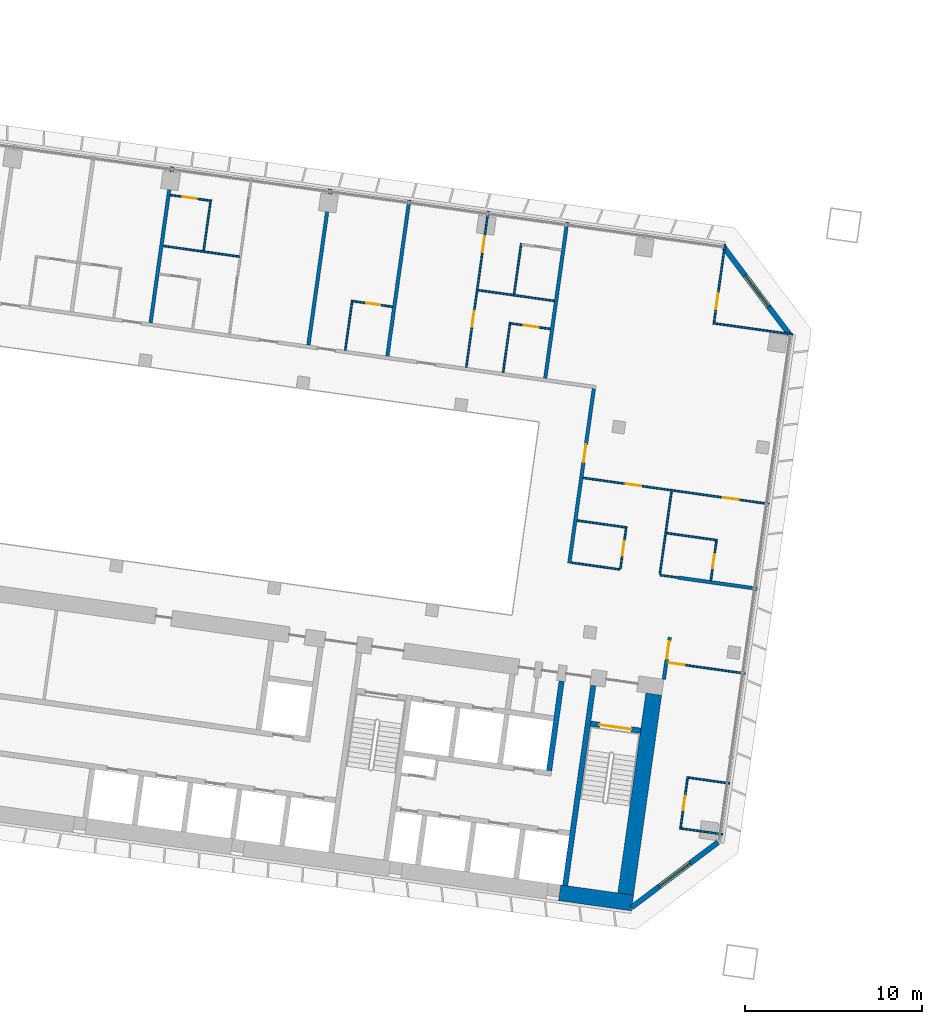
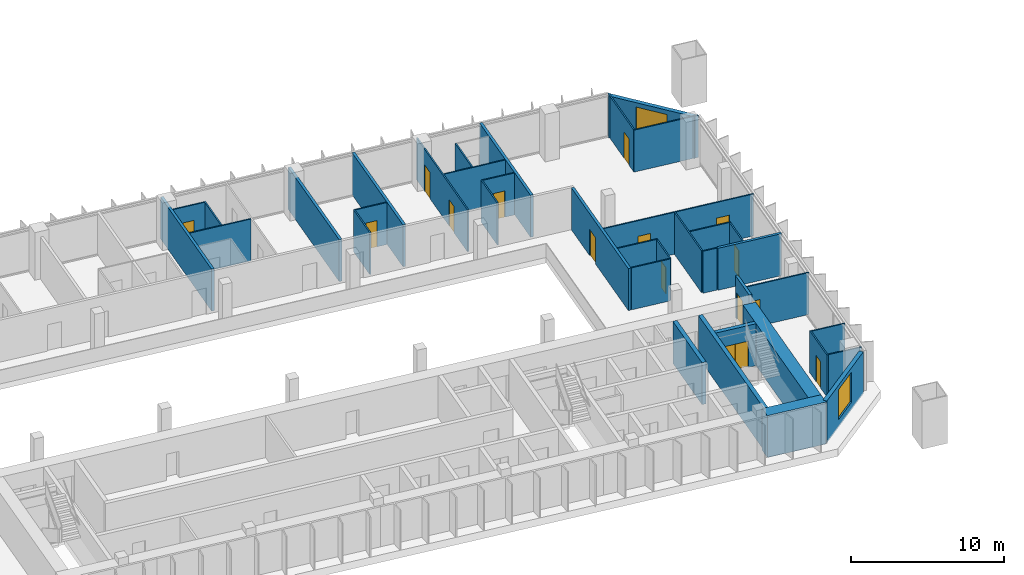
# One storey, part 17 of 25: 38 walls, 15 doors, 2 windows, 17 openings.
"""IFC4 building model written with IfcOpenShell, lengths in metres."""

from ifc_helpers import new_model, si_unit, direction, frame, frame_2d, origin, place, context, subcontext, project, spatial, rectangle, extrude, material, layer, layer_set, type_object, element, fill, save


model = new_model("IFC4")

# Units and contexts
model_context = context("Model", 3, precision=1e-05, world=origin(), true_north=direction((0.0, 1.0)))
body_context = subcontext(model_context, "Body", "Model", "MODEL_VIEW")
ifc_project = project(units=[si_unit("LENGTHUNIT", "METRE"), si_unit("AREAUNIT", "SQUARE_METRE"), si_unit("VOLUMEUNIT", "CUBIC_METRE"), si_unit("PLANEANGLEUNIT", "RADIAN"), si_unit("MASSUNIT", "GRAM", prefix="KILO")], contexts=[model_context])

# Site, building, storey
site_placement = place(None, origin())
site = spatial("IfcSite", under=ifc_project, at=site_placement, CompositionType="ELEMENT")
building_placement = place(site_placement, origin())
building = spatial("IfcBuilding", under=site, at=building_placement, Name="Mirante Cascada Hotel Towers", CompositionType="ELEMENT")
storey_placement = place(building_placement, frame((0.0, 0.0, 58.5)))
storey = spatial("IfcBuildingStorey", under=building, at=storey_placement, Name="L11", CompositionType="ELEMENT", Elevation=58.5)

# Wall
ifc_material_1 = material(Name="Fire-rated plasterboard on metal studs")
ifc_layer_1 = layer(ifc_material_1, 0.2)
ifc_layer_set_1 = layer_set([ifc_layer_1], Name="Compartment wall 200 EI 120")
wall_type_1 = type_object("IfcWallType", Name="Compartment wall 200 EI 120", PredefinedType="PARTITIONING", material=ifc_layer_set_1)
wall_1_placement = place(storey_placement, frame((-30.0, -2.0, 0.0), z_axis=(0.0, 0.0, 1.0), x_axis=(-0.9902674, 0.1391779, 0.0)))
element("IfcWall", 1, at=wall_1_placement, inside=storey, type_object=wall_type_1, Name="Wall 1-L11-04", PredefinedType="PARTITIONING", context=body_context, shape_type="SweptSolid", body=[
    extrude(rectangle(XDim=4.5, YDim=0.2, at=frame_2d((2.25, 0.0))), origin(), (0.0, 0.0, 1.0), 3.35),
])

# Wall, opening, door
wall_2_placement = place(storey_placement, frame((-34.9294, -4.7406, 0.0), z_axis=(0.0, 0.0, 1.0), x_axis=(-0.1391635, -0.9902694, 0.0)))
wall_2 = element("IfcWall", 2, at=wall_2_placement, inside=storey, type_object=wall_type_1, Name="Wall 1-L11-33", PredefinedType="PARTITIONING", context=body_context, shape_type="SweptSolid", body=[
    extrude(rectangle(XDim=2.4001, YDim=0.2, at=frame_2d((1.2, 0.0))), origin(), (0.0, 0.0, 1.0), 3.35),
])
opening_1_placement = place(wall_2_placement, frame((0.2167, 0.0, 0.0)))
opening_1 = element("IfcOpeningElement", 3, at=opening_1_placement, cuts=wall_2, Name="Opening D1-L11-28", PredefinedType="OPENING", context=body_context, shape_type="SweptSolid", body=[
    extrude(rectangle(XDim=1.0, YDim=2.1, at=frame_2d((0.5, 1.05))), frame((0.0, 0.1, 0.0), z_axis=(0.0, -1.0, 0.0), x_axis=(1.0, 0.0, 0.0)), (0.0, 0.0, 1.0), 0.2),
])
ifc_material_2 = material(Name="Fire-rated timber door leaf", Category="wood")
door_type_1 = type_object("IfcDoorType", Name="Entrance door DG1 1000x2100 EI 60", OperationType="SINGLE_SWING_LEFT", PredefinedType="DOOR", material=ifc_material_2)
door_1_placement = place(opening_1_placement, origin())
door_1 = element("IfcDoor", 4, at=door_1_placement, inside=storey, type_object=door_type_1, Name="Door D1-L11-28", OperationType="SINGLE_SWING_LEFT", OverallHeight=2.1, OverallWidth=1.0, PredefinedType="DOOR", context=body_context, shape_type="SweptSolid", body=[
    extrude(rectangle(XDim=1.0, YDim=2.1, at=frame_2d((0.5, 1.05))), frame((0.0, 0.025, 0.0), z_axis=(0.0, -1.0, 0.0), x_axis=(1.0, 0.0, 0.0)), (0.0, 0.0, 1.0), 0.05),
])
fill(opening_1, door_1)

wall_3_placement = place(storey_placement, frame((-39.2181, 9.2928, 0.0), z_axis=(0.0, 0.0, 1.0), x_axis=(-0.1391655, -0.9902691, 0.0)))
wall_3 = element("IfcWall", 5, at=wall_3_placement, inside=storey, type_object=wall_type_1, Name="Wall 1-L11-37", PredefinedType="PARTITIONING", context=body_context, shape_type="SweptSolid", body=[
    extrude(rectangle(XDim=9.95, YDim=0.2, at=frame_2d((4.975, 0.0))), origin(), (0.0, 0.0, 1.0), 3.35),
])
opening_2_placement = place(wall_3_placement, frame((3.1834, 0.0, 0.0)))
opening_2 = element("IfcOpeningElement", 6, at=opening_2_placement, cuts=wall_3, Name="Opening D1-L11-31", PredefinedType="OPENING", context=body_context, shape_type="SweptSolid", body=[
    extrude(rectangle(XDim=1.0, YDim=2.1, at=frame_2d((0.5, 1.05))), frame((0.0, 0.1, 0.0), z_axis=(0.0, -1.0, 0.0), x_axis=(1.0, 0.0, 0.0)), (0.0, 0.0, 1.0), 0.2),
])
door_2_placement = place(opening_2_placement, origin())
door_2 = element("IfcDoor", 7, at=door_2_placement, inside=storey, type_object=door_type_1, Name="Door D1-L11-31", OperationType="SINGLE_SWING_LEFT", OverallHeight=2.1, OverallWidth=1.0, PredefinedType="DOOR", context=body_context, shape_type="SweptSolid", body=[
    extrude(rectangle(XDim=1.0, YDim=2.1, at=frame_2d((0.5, 1.05))), frame((0.0, 0.025, 0.0), z_axis=(0.0, -1.0, 0.0), x_axis=(1.0, 0.0, 0.0)), (0.0, 0.0, 1.0), 0.05),
])
fill(opening_2, door_2)

# Walls
for number, where, z_axis, x_axis, name in (
    (8, (-41.963, 9.8805, 0.0), (0.0, 0.0, 1.0), (0.1391794, 0.9902672, 0.0), "Wall 1-L11-38"),
    (9, (-50.8754, 11.1331, 0.0), (0.0, 0.0, 1.0), (0.1391794, 0.9902672, 0.0), "Wall 1-L11-42"),
    (10, (-55.3316, 11.7594, 0.0), (0.0, 0.0, 1.0), (0.1391794, 0.9902672, 0.0), "Wall 1-L11-44"),
    (11, (-64.244, 13.0119, 0.0), (0.0, 0.0, 1.0), (0.1391684, 0.9902687, 0.0), "Wall 1-L11-48"),
):
    element("IfcWall", number, at=place(storey_placement, frame(where, z_axis=z_axis, x_axis=x_axis)), inside=storey, type_object=wall_type_1, Name=name, PredefinedType="PARTITIONING", context=body_context, shape_type="SweptSolid", body=[
        extrude(rectangle(XDim=8.9, YDim=0.2, at=frame_2d((4.45, 0.0))), origin(), (0.0, 0.0, 1.0), 3.35),
    ])
ifc_material_3 = material(Name="Plasterboard on metal studs")
ifc_layer_2 = layer(ifc_material_3, 0.1)
ifc_layer_set_2 = layer_set([ifc_layer_2], Name="Partition 100")
wall_type_2 = type_object("IfcWallType", Name="Partition 100", PredefinedType="PARTITIONING", material=ifc_layer_set_2)
for number, where, z_axis, x_axis, name in (
    (12, (-34.2756, -15.5367, 0.0), (0.0, 0.0, 1.0), (0.9902661, -0.139187, 0.0), "Wall 1-L11-01"),
    (13, (-31.5448, -12.992, 0.0), (0.0, 0.0, 1.0), (-0.9902661, 0.139187, 0.0), "Wall 1-L11-02"),
):
    element("IfcWall", number, at=place(storey_placement, frame(where, z_axis=z_axis, x_axis=x_axis)), inside=storey, type_object=wall_type_2, Name=name, PredefinedType="PARTITIONING", context=body_context, shape_type="SweptSolid", body=[
        extrude(rectangle(XDim=2.3501, YDim=0.1, at=frame_2d((1.175, 0.0))), origin(), (0.0, 0.0, 1.0), 3.35),
    ])

# Wall, opening, door
wall_4_placement = place(storey_placement, frame((-35.0298, -6.1739, 0.0), z_axis=(0.0, 0.0, 1.0), x_axis=(0.9902665, -0.1391841, 0.0)))
wall_4 = element("IfcWall", 14, at=wall_4_placement, inside=storey, type_object=wall_type_2, Name="Wall 1-L11-03", PredefinedType="PARTITIONING", context=body_context, shape_type="SweptSolid", body=[
    extrude(rectangle(XDim=4.3999, YDim=0.1, at=frame_2d((2.2, 0.0))), origin(), (0.0, 0.0, 1.0), 3.35),
])
opening_3_placement = place(wall_4_placement, frame((0.05, 0.0, 0.0)))
opening_3 = element("IfcOpeningElement", 15, at=opening_3_placement, cuts=wall_4, Name="Opening D1-L11-01", PredefinedType="OPENING", context=body_context, shape_type="SweptSolid", body=[
    extrude(rectangle(XDim=0.9, YDim=2.1, at=frame_2d((0.45, 1.05))), frame((0.0, 0.05, 0.0), z_axis=(0.0, -1.0, 0.0), x_axis=(1.0, 0.0, 0.0)), (0.0, 0.0, 1.0), 0.1),
])
ifc_material_4 = material(Name="Timber door leaf", Category="wood")
door_type_2 = type_object("IfcDoorType", Name="Room door DG3 900x2100", OperationType="SINGLE_SWING_LEFT", PredefinedType="DOOR", material=ifc_material_4)
door_3_placement = place(opening_3_placement, frame((0.9, 0.0, 0.0), z_axis=(0.0, 0.0, 1.0), x_axis=(-1.0, 0.0, 0.0)))
door_3 = element("IfcDoor", 16, at=door_3_placement, inside=storey, type_object=door_type_2, Name="Door D1-L11-01", OperationType="SINGLE_SWING_RIGHT", OverallHeight=2.1, OverallWidth=0.9, PredefinedType="DOOR", context=body_context, shape_type="SweptSolid", body=[
    extrude(rectangle(XDim=0.9, YDim=2.1, at=frame_2d((0.45, 1.05))), frame((0.0, 0.025, 0.0), z_axis=(0.0, -1.0, 0.0), x_axis=(1.0, 0.0, 0.0)), (0.0, 0.0, 1.0), 0.05),
])
fill(opening_3, door_3)

# Walls
wall_5_placement = place(storey_placement, frame((-35.4663, -1.2318, 0.0), z_axis=(0.0, 0.0, 1.0), x_axis=(0.9902801, -0.1390877, 0.0)))
element("IfcWall", 17, at=wall_5_placement, inside=storey, type_object=wall_type_2, Name="Wall 1-L11-05", PredefinedType="PARTITIONING", context=body_context, shape_type="SweptSolid", body=[
    extrude(rectangle(XDim=0.99, YDim=0.1, at=frame_2d((0.495, 0.0))), origin(), (0.0, 0.0, 1.0), 3.35),
])
wall_6_placement = place(storey_placement, frame((-37.7538, -0.9103, 0.0), z_axis=(0.0, 0.0, 1.0), x_axis=(-0.9902645, 0.1391984, 0.0)))
element("IfcWall", 18, at=wall_6_placement, inside=storey, type_object=wall_type_2, Name="Wall 1-L11-06", PredefinedType="PARTITIONING", context=body_context, shape_type="SweptSolid", body=[
    extrude(rectangle(XDim=2.74, YDim=0.1, at=frame_2d((1.37, 0.0))), origin(), (0.0, 0.0, 1.0), 3.35),
])
wall_7_placement = place(storey_placement, frame((-32.2407, 0.7385, 0.0), z_axis=(0.0, 0.0, 1.0), x_axis=(-0.9902683, 0.1391714, 0.0)))
element("IfcWall", 19, at=wall_7_placement, inside=storey, type_object=wall_type_2, Name="Wall 1-L11-08", PredefinedType="PARTITIONING", context=body_context, shape_type="SweptSolid", body=[
    extrude(rectangle(XDim=2.9, YDim=0.1, at=frame_2d((1.45, 0.0))), origin(), (0.0, 0.0, 1.0), 3.35),
])
wall_8_placement = place(storey_placement, frame((-40.1628, 1.8519, 0.0), z_axis=(0.0, 0.0, 1.0), x_axis=(0.9902649, -0.1391957, 0.0)))
element("IfcWall", 20, at=wall_8_placement, inside=storey, type_object=wall_type_2, Name="Wall 1-L11-09", PredefinedType="PARTITIONING", context=body_context, shape_type="SweptSolid", body=[
    extrude(rectangle(XDim=2.8499, YDim=0.1, at=frame_2d((1.425, 0.0))), origin(), (0.0, 0.0, 1.0), 3.35),
])

# Wall, openings, doors
wall_9_placement = place(storey_placement, frame((-29.3273, 2.7863, 0.0), z_axis=(0.0, 0.0, 1.0), x_axis=(-0.9902686, 0.1391691, 0.0)))
wall_9 = element("IfcWall", 21, at=wall_9_placement, inside=storey, type_object=wall_type_2, Name="Wall 1-L11-12", PredefinedType="PARTITIONING", context=body_context, shape_type="SweptSolid", body=[
    extrude(rectangle(XDim=10.6001, YDim=0.1, at=frame_2d((5.3, 0.0))), origin(), (0.0, 0.0, 1.0), 3.35),
])
opening_4_placement = place(wall_9_placement, frame((1.725, 0.0, 0.0)))
opening_4 = element("IfcOpeningElement", 22, at=opening_4_placement, cuts=wall_9, Name="Opening D1-L11-04", PredefinedType="OPENING", context=body_context, shape_type="SweptSolid", body=[
    extrude(rectangle(XDim=0.9, YDim=2.1, at=frame_2d((0.45, 1.05))), frame((0.0, 0.05, 0.0), z_axis=(0.0, -1.0, 0.0), x_axis=(1.0, 0.0, 0.0)), (0.0, 0.0, 1.0), 0.1),
])
opening_5_placement = place(wall_9_placement, frame((7.275, 0.0, 0.0)))
opening_5 = element("IfcOpeningElement", 23, at=opening_5_placement, cuts=wall_9, Name="Opening D1-L11-05", PredefinedType="OPENING", context=body_context, shape_type="SweptSolid", body=[
    extrude(rectangle(XDim=0.9, YDim=2.1, at=frame_2d((0.45, 1.05))), frame((0.0, 0.05, 0.0), z_axis=(0.0, -1.0, 0.0), x_axis=(1.0, 0.0, 0.0)), (0.0, 0.0, 1.0), 0.1),
])
door_4_placement = place(opening_4_placement, frame((0.9, 0.0, 0.0), z_axis=(0.0, 0.0, 1.0), x_axis=(-1.0, 0.0, 0.0)))
door_4 = element("IfcDoor", 24, at=door_4_placement, inside=storey, type_object=door_type_2, Name="Door D1-L11-04", OperationType="SINGLE_SWING_RIGHT", OverallHeight=2.1, OverallWidth=0.9, PredefinedType="DOOR", context=body_context, shape_type="SweptSolid", body=[
    extrude(rectangle(XDim=0.9, YDim=2.1, at=frame_2d((0.45, 1.05))), frame((0.0, 0.025, 0.0), z_axis=(0.0, -1.0, 0.0), x_axis=(1.0, 0.0, 0.0)), (0.0, 0.0, 1.0), 0.05),
])
fill(opening_4, door_4)
door_5_placement = place(opening_5_placement, frame((0.9, 0.0, 0.0), z_axis=(0.0, 0.0, 1.0), x_axis=(-1.0, 0.0, 0.0)))
door_5 = element("IfcDoor", 25, at=door_5_placement, inside=storey, type_object=door_type_2, Name="Door D1-L11-05", OperationType="SINGLE_SWING_RIGHT", OverallHeight=2.1, OverallWidth=0.9, PredefinedType="DOOR", context=body_context, shape_type="SweptSolid", body=[
    extrude(rectangle(XDim=0.9, YDim=2.1, at=frame_2d((0.45, 1.05))), frame((0.0, 0.025, 0.0), z_axis=(0.0, -1.0, 0.0), x_axis=(1.0, 0.0, 0.0)), (0.0, 0.0, 1.0), 0.05),
])
fill(opening_5, door_5)

# Wall, opening, door
wall_10_placement = place(storey_placement, frame((-41.6723, 12.6672, 0.0), z_axis=(0.0, 0.0, 1.0), x_axis=(-0.9902643, 0.1391997, 0.0)))
wall_10 = element("IfcWall", 26, at=wall_10_placement, inside=storey, type_object=wall_type_2, Name="Wall 1-L11-18", PredefinedType="PARTITIONING", context=body_context, shape_type="SweptSolid", body=[
    extrude(rectangle(XDim=2.25, YDim=0.1, at=frame_2d((1.125, 0.0))), origin(), (0.0, 0.0, 1.0), 3.35),
])
opening_6_placement = place(wall_10_placement, frame((0.7, 0.0, 0.0)))
opening_6 = element("IfcOpeningElement", 27, at=opening_6_placement, cuts=wall_10, Name="Opening D1-L11-16", PredefinedType="OPENING", context=body_context, shape_type="SweptSolid", body=[
    extrude(rectangle(XDim=0.8, YDim=2.1, at=frame_2d((0.4, 1.05))), frame((0.0, 0.05, 0.0), z_axis=(0.0, -1.0, 0.0), x_axis=(1.0, 0.0, 0.0)), (0.0, 0.0, 1.0), 0.1),
])
ifc_material_5 = material(Name="Timber door leaf", Category="wood")
door_type_3 = type_object("IfcDoorType", Name="Bathroom door DG4 800x2100", OperationType="SINGLE_SWING_LEFT", PredefinedType="DOOR", material=ifc_material_5)
door_6_placement = place(opening_6_placement, origin())
door_6 = element("IfcDoor", 28, at=door_6_placement, inside=storey, type_object=door_type_3, Name="Door D1-L11-16", OperationType="SINGLE_SWING_LEFT", OverallHeight=2.1, OverallWidth=0.8, PredefinedType="DOOR", context=body_context, shape_type="SweptSolid", body=[
    extrude(rectangle(XDim=0.8, YDim=2.1, at=frame_2d((0.4, 1.05))), frame((0.0, 0.025, 0.0), z_axis=(0.0, -1.0, 0.0), x_axis=(1.0, 0.0, 0.0)), (0.0, 0.0, 1.0), 0.05),
])
fill(opening_6, door_6)

wall_11_placement = place(storey_placement, frame((-52.8128, 14.2329, 0.0), z_axis=(0.0, 0.0, 1.0), x_axis=(0.9902705, -0.1391561, 0.0)))
wall_11 = element("IfcWall", 29, at=wall_11_placement, inside=storey, type_object=wall_type_2, Name="Wall 1-L11-19", PredefinedType="PARTITIONING", context=body_context, shape_type="SweptSolid", body=[
    extrude(rectangle(XDim=2.25, YDim=0.1, at=frame_2d((1.125, 0.0))), origin(), (0.0, 0.0, 1.0), 3.35),
])
opening_7_placement = place(wall_11_placement, frame((0.75, 0.0, 0.0)))
opening_7 = element("IfcOpeningElement", 30, at=opening_7_placement, cuts=wall_11, Name="Opening D1-L11-17", PredefinedType="OPENING", context=body_context, shape_type="SweptSolid", body=[
    extrude(rectangle(XDim=0.8, YDim=2.1, at=frame_2d((0.4, 1.05))), frame((0.0, 0.05, 0.0), z_axis=(0.0, -1.0, 0.0), x_axis=(1.0, 0.0, 0.0)), (0.0, 0.0, 1.0), 0.1),
])
door_7_placement = place(opening_7_placement, origin())
door_7 = element("IfcDoor", 31, at=door_7_placement, inside=storey, type_object=door_type_3, Name="Door D1-L11-17", OperationType="SINGLE_SWING_LEFT", OverallHeight=2.1, OverallWidth=0.8, PredefinedType="DOOR", context=body_context, shape_type="SweptSolid", body=[
    extrude(rectangle(XDim=0.8, YDim=2.1, at=frame_2d((0.4, 1.05))), frame((0.0, 0.025, 0.0), z_axis=(0.0, -1.0, 0.0), x_axis=(1.0, 0.0, 0.0)), (0.0, 0.0, 1.0), 0.05),
])
fill(opening_7, door_7)

# Walls
wall_12_placement = place(storey_placement, frame((-27.982, 12.3589, 0.0), z_axis=(0.0, 0.0, 1.0), x_axis=(-0.9902691, 0.1391656, 0.0)))
element("IfcWall", 32, at=wall_12_placement, inside=storey, type_object=wall_type_2, Name="Wall 1-L11-24", PredefinedType="PARTITIONING", context=body_context, shape_type="SweptSolid", body=[
    extrude(rectangle(XDim=4.55, YDim=0.1, at=frame_2d((2.275, 0.0))), origin(), (0.0, 0.0, 1.0), 3.35),
])
for number, where, z_axis, x_axis, name in (
    (33, (-45.7573, 14.857, 0.0), (0.0, 0.0, 1.0), (0.9902683, -0.1391714, 0.0), "Wall 1-L11-25"),
    (34, (-59.2249, 16.7498, 0.0), (0.0, 0.0, 1.0), (-0.9902683, 0.1391714, 0.0), "Wall 1-L11-26"),
):
    element("IfcWall", number, at=place(storey_placement, frame(where, z_axis=z_axis, x_axis=x_axis)), inside=storey, type_object=wall_type_2, Name=name, PredefinedType="PARTITIONING", context=body_context, shape_type="SweptSolid", body=[
        extrude(rectangle(XDim=4.35, YDim=0.1, at=frame_2d((2.175, 0.0))), origin(), (0.0, 0.0, 1.0), 3.35),
    ])

# Wall, opening, door
wall_13_placement = place(storey_placement, frame((-63.129, 20.227, 0.0), z_axis=(0.0, 0.0, 1.0), x_axis=(0.9902643, -0.1391997, 0.0)))
wall_13 = element("IfcWall", 35, at=wall_13_placement, inside=storey, type_object=wall_type_2, Name="Wall 1-L11-29", PredefinedType="PARTITIONING", context=body_context, shape_type="SweptSolid", body=[
    extrude(rectangle(XDim=2.25, YDim=0.1, at=frame_2d((1.125, 0.0))), origin(), (0.0, 0.0, 1.0), 3.35),
])
opening_8_placement = place(wall_13_placement, frame((0.7, 0.0, 0.0)))
opening_8 = element("IfcOpeningElement", 36, at=opening_8_placement, cuts=wall_13, Name="Opening D1-L11-24", PredefinedType="OPENING", context=body_context, shape_type="SweptSolid", body=[
    extrude(rectangle(XDim=0.8, YDim=2.1, at=frame_2d((0.4, 1.05))), frame((0.0, 0.05, 0.0), z_axis=(0.0, -1.0, 0.0), x_axis=(1.0, 0.0, 0.0)), (0.0, 0.0, 1.0), 0.1),
])
door_8_placement = place(opening_8_placement, frame((0.8, 0.0, 0.0), z_axis=(0.0, 0.0, 1.0), x_axis=(-1.0, 0.0, 0.0)))
door_8 = element("IfcDoor", 37, at=door_8_placement, inside=storey, type_object=door_type_3, Name="Door D1-L11-24", OperationType="SINGLE_SWING_RIGHT", OverallHeight=2.1, OverallWidth=0.8, PredefinedType="DOOR", context=body_context, shape_type="SweptSolid", body=[
    extrude(rectangle(XDim=0.8, YDim=2.1, at=frame_2d((0.4, 1.05))), frame((0.0, 0.025, 0.0), z_axis=(0.0, -1.0, 0.0), x_axis=(1.0, 0.0, 0.0)), (0.0, 0.0, 1.0), 0.05),
])
fill(opening_8, door_8)

wall_14_placement = place(storey_placement, frame((-33.9145, -12.6084, 0.0), z_axis=(0.0, 0.0, 1.0), x_axis=(-0.1391624, -0.9902696, 0.0)))
wall_14 = element("IfcWall", 38, at=wall_14_placement, inside=storey, type_object=wall_type_2, Name="Wall 1-L11-31", PredefinedType="PARTITIONING", context=body_context, shape_type="SweptSolid", body=[
    extrude(rectangle(XDim=3.0001, YDim=0.1, at=frame_2d((1.5001, 0.0))), origin(), (0.0, 0.0, 1.0), 3.35),
])
opening_9_placement = place(wall_14_placement, frame((1.1, 0.0, 0.0)))
opening_9 = element("IfcOpeningElement", 39, at=opening_9_placement, cuts=wall_14, Name="Opening D1-L11-26", PredefinedType="OPENING", context=body_context, shape_type="SweptSolid", body=[
    extrude(rectangle(XDim=0.8, YDim=2.1, at=frame_2d((0.4, 1.05))), frame((0.0, 0.05, 0.0), z_axis=(0.0, -1.0, 0.0), x_axis=(1.0, 0.0, 0.0)), (0.0, 0.0, 1.0), 0.1),
])
door_9_placement = place(opening_9_placement, frame((0.8, 0.0, 0.0), z_axis=(0.0, 0.0, 1.0), x_axis=(-1.0, 0.0, 0.0)))
door_9 = element("IfcDoor", 40, at=door_9_placement, inside=storey, type_object=door_type_3, Name="Door D1-L11-26", OperationType="SINGLE_SWING_RIGHT", OverallHeight=2.1, OverallWidth=0.8, PredefinedType="DOOR", context=body_context, shape_type="SweptSolid", body=[
    extrude(rectangle(XDim=0.8, YDim=2.1, at=frame_2d((0.4, 1.05))), frame((0.0, 0.025, 0.0), z_axis=(0.0, -1.0, 0.0), x_axis=(1.0, 0.0, 0.0)), (0.0, 0.0, 1.0), 0.05),
])
fill(opening_9, door_9)

wall_15_placement = place(storey_placement, frame((-32.6103, -1.5322, 0.0), z_axis=(0.0, 0.0, 1.0), x_axis=(0.1391561, 0.9902705, 0.0)))
wall_15 = element("IfcWall", 41, at=wall_15_placement, inside=storey, type_object=wall_type_2, Name="Wall 1-L11-32", PredefinedType="PARTITIONING", context=body_context, shape_type="SweptSolid", body=[
    extrude(rectangle(XDim=2.25, YDim=0.1, at=frame_2d((1.125, 0.0))), origin(), (0.0, 0.0, 1.0), 3.35),
])
opening_10_placement = place(wall_15_placement, frame((0.7, 0.0, 0.0)))
opening_10 = element("IfcOpeningElement", 42, at=opening_10_placement, cuts=wall_15, Name="Opening D1-L11-27", PredefinedType="OPENING", context=body_context, shape_type="SweptSolid", body=[
    extrude(rectangle(XDim=0.8, YDim=2.1, at=frame_2d((0.4, 1.05))), frame((0.0, 0.05, 0.0), z_axis=(0.0, -1.0, 0.0), x_axis=(1.0, 0.0, 0.0)), (0.0, 0.0, 1.0), 0.1),
])
door_10_placement = place(opening_10_placement, origin())
door_10 = element("IfcDoor", 43, at=door_10_placement, inside=storey, type_object=door_type_3, Name="Door D1-L11-27", OperationType="SINGLE_SWING_LEFT", OverallHeight=2.1, OverallWidth=0.8, PredefinedType="DOOR", context=body_context, shape_type="SweptSolid", body=[
    extrude(rectangle(XDim=0.8, YDim=2.1, at=frame_2d((0.4, 1.05))), frame((0.0, 0.025, 0.0), z_axis=(0.0, -1.0, 0.0), x_axis=(1.0, 0.0, 0.0)), (0.0, 0.0, 1.0), 0.05),
])
fill(opening_10, door_10)

wall_16_placement = place(storey_placement, frame((-32.4312, 13.0347, 0.0), z_axis=(0.0, 0.0, 1.0), x_axis=(0.1391684, 0.9902687, 0.0)))
wall_16 = element("IfcWall", 44, at=wall_16_placement, inside=storey, type_object=wall_type_2, Name="Wall 1-L11-34", PredefinedType="PARTITIONING", context=body_context, shape_type="SweptSolid", body=[
    extrude(rectangle(XDim=4.45, YDim=0.1, at=frame_2d((2.225, 0.0))), origin(), (0.0, 0.0, 1.0), 3.35),
])
opening_11_placement = place(wall_16_placement, frame((0.75, 0.0, 0.0)))
opening_11 = element("IfcOpeningElement", 45, at=opening_11_placement, cuts=wall_16, Name="Opening D1-L11-29", PredefinedType="OPENING", context=body_context, shape_type="SweptSolid", body=[
    extrude(rectangle(XDim=0.9, YDim=2.1, at=frame_2d((0.45, 1.05))), frame((0.0, 0.05, 0.0), z_axis=(0.0, -1.0, 0.0), x_axis=(1.0, 0.0, 0.0)), (0.0, 0.0, 1.0), 0.1),
])
door_11_placement = place(opening_11_placement, origin())
door_11 = element("IfcDoor", 46, at=door_11_placement, inside=storey, type_object=door_type_2, Name="Door D1-L11-29", OperationType="SINGLE_SWING_LEFT", OverallHeight=2.1, OverallWidth=0.9, PredefinedType="DOOR", context=body_context, shape_type="SweptSolid", body=[
    extrude(rectangle(XDim=0.9, YDim=2.1, at=frame_2d((0.45, 1.05))), frame((0.0, 0.025, 0.0), z_axis=(0.0, -1.0, 0.0), x_axis=(1.0, 0.0, 0.0)), (0.0, 0.0, 1.0), 0.05),
])
fill(opening_11, door_11)

# Wall
wall_17_placement = place(storey_placement, frame((-34.8303, 3.5092, 0.0), z_axis=(0.0, 0.0, 1.0), x_axis=(-0.1391613, -0.9902697, 0.0)))
element("IfcWall", 47, at=wall_17_placement, inside=storey, type_object=wall_type_2, Name="Wall 1-L11-35", PredefinedType="PARTITIONING", context=body_context, shape_type="SweptSolid", body=[
    extrude(rectangle(XDim=4.7334, YDim=0.1, at=frame_2d((2.3667, 0.0))), origin(), (0.0, 0.0, 1.0), 3.35),
])

# Wall, opening, door
wall_18_placement = place(storey_placement, frame((-37.7171, -0.8649, 0.0), z_axis=(0.0, 0.0, 1.0), x_axis=(0.1391749, 0.9902678, 0.0)))
wall_18 = element("IfcWall", 48, at=wall_18_placement, inside=storey, type_object=wall_type_2, Name="Wall 1-L11-36", PredefinedType="PARTITIONING", context=body_context, shape_type="SweptSolid", body=[
    extrude(rectangle(XDim=2.3, YDim=0.1, at=frame_2d((1.15, 0.0))), origin(), (0.0, 0.0, 1.0), 3.35),
])
opening_12_placement = place(wall_18_placement, frame((0.75, 0.0, 0.0)))
opening_12 = element("IfcOpeningElement", 49, at=opening_12_placement, cuts=wall_18, Name="Opening D1-L11-30", PredefinedType="OPENING", context=body_context, shape_type="SweptSolid", body=[
    extrude(rectangle(XDim=0.8, YDim=2.1, at=frame_2d((0.4, 1.05))), frame((0.0, 0.05, 0.0), z_axis=(0.0, -1.0, 0.0), x_axis=(1.0, 0.0, 0.0)), (0.0, 0.0, 1.0), 0.1),
])
door_12_placement = place(opening_12_placement, origin())
door_12 = element("IfcDoor", 50, at=door_12_placement, inside=storey, type_object=door_type_3, Name="Door D1-L11-30", OperationType="SINGLE_SWING_LEFT", OverallHeight=2.1, OverallWidth=0.8, PredefinedType="DOOR", context=body_context, shape_type="SweptSolid", body=[
    extrude(rectangle(XDim=0.8, YDim=2.1, at=frame_2d((0.4, 1.05))), frame((0.0, 0.025, 0.0), z_axis=(0.0, -1.0, 0.0), x_axis=(1.0, 0.0, 0.0)), (0.0, 0.0, 1.0), 0.05),
])
fill(opening_12, door_12)

# Walls
wall_19_placement = place(storey_placement, frame((-43.943, 13.0368, 0.0), z_axis=(0.0, 0.0, 1.0), x_axis=(-0.1391613, -0.9902697, 0.0)))
element("IfcWall", 51, at=wall_19_placement, inside=storey, type_object=wall_type_2, Name="Wall 1-L11-39", PredefinedType="PARTITIONING", context=body_context, shape_type="SweptSolid", body=[
    extrude(rectangle(XDim=2.8499, YDim=0.1, at=frame_2d((1.425, 0.0))), origin(), (0.0, 0.0, 1.0), 3.35),
])
wall_20_placement = place(storey_placement, frame((-43.7203, 14.6213, 0.0), z_axis=(0.0, 0.0, 1.0), x_axis=(0.1391761, 0.9902676, 0.0)))
element("IfcWall", 52, at=wall_20_placement, inside=storey, type_object=wall_type_2, Name="Wall 1-L11-40", PredefinedType="PARTITIONING", context=body_context, shape_type="SweptSolid", body=[
    extrude(rectangle(XDim=2.8999, YDim=0.1, at=frame_2d((1.45, 0.0))), origin(), (0.0, 0.0, 1.0), 3.35),
])

# Wall, openings, doors
wall_21_placement = place(storey_placement, frame((-45.1805, 19.3202, 0.0), z_axis=(0.0, 0.0, 1.0), x_axis=(-0.1391794, -0.9902672, 0.0)))
wall_21 = element("IfcWall", 53, at=wall_21_placement, inside=storey, type_object=wall_type_2, Name="Wall 1-L11-41", PredefinedType="PARTITIONING", context=body_context, shape_type="SweptSolid", body=[
    extrude(rectangle(XDim=8.9, YDim=0.1, at=frame_2d((4.45, 0.0))), origin(), (0.0, 0.0, 1.0), 3.35),
])
opening_13_placement = place(wall_21_placement, frame((5.7, 0.0, 0.0)))
opening_13 = element("IfcOpeningElement", 54, at=opening_13_placement, cuts=wall_21, Name="Opening D1-L11-32", PredefinedType="OPENING", context=body_context, shape_type="SweptSolid", body=[
    extrude(rectangle(XDim=0.9, YDim=2.1, at=frame_2d((0.45, 1.05))), frame((0.0, 0.05, 0.0), z_axis=(0.0, -1.0, 0.0), x_axis=(1.0, 0.0, 0.0)), (0.0, 0.0, 1.0), 0.1),
])
opening_14_placement = place(wall_21_placement, frame((1.45, 0.0, 0.0)))
opening_14 = element("IfcOpeningElement", 55, at=opening_14_placement, cuts=wall_21, Name="Opening D1-L11-33", PredefinedType="OPENING", context=body_context, shape_type="SweptSolid", body=[
    extrude(rectangle(XDim=0.9, YDim=2.1, at=frame_2d((0.45, 1.05))), frame((0.0, 0.05, 0.0), z_axis=(0.0, -1.0, 0.0), x_axis=(1.0, 0.0, 0.0)), (0.0, 0.0, 1.0), 0.1),
])
door_13_placement = place(opening_13_placement, frame((0.9, 0.0, 0.0), z_axis=(0.0, 0.0, 1.0), x_axis=(-1.0, 0.0, 0.0)))
door_13 = element("IfcDoor", 56, at=door_13_placement, inside=storey, type_object=door_type_2, Name="Door D1-L11-32", OperationType="SINGLE_SWING_RIGHT", OverallHeight=2.1, OverallWidth=0.9, PredefinedType="DOOR", context=body_context, shape_type="SweptSolid", body=[
    extrude(rectangle(XDim=0.9, YDim=2.1, at=frame_2d((0.45, 1.05))), frame((0.0, 0.025, 0.0), z_axis=(0.0, -1.0, 0.0), x_axis=(1.0, 0.0, 0.0)), (0.0, 0.0, 1.0), 0.05),
])
fill(opening_13, door_13)
door_14_placement = place(opening_14_placement, frame((0.9, 0.0, 0.0), z_axis=(0.0, 0.0, 1.0), x_axis=(-1.0, 0.0, 0.0)))
door_14 = element("IfcDoor", 57, at=door_14_placement, inside=storey, type_object=door_type_2, Name="Door D1-L11-33", OperationType="SINGLE_SWING_RIGHT", OverallHeight=2.1, OverallWidth=0.9, PredefinedType="DOOR", context=body_context, shape_type="SweptSolid", body=[
    extrude(rectangle(XDim=0.9, YDim=2.1, at=frame_2d((0.45, 1.05))), frame((0.0, 0.025, 0.0), z_axis=(0.0, -1.0, 0.0), x_axis=(1.0, 0.0, 0.0)), (0.0, 0.0, 1.0), 0.05),
])
fill(opening_14, door_14)

# Walls
wall_22_placement = place(storey_placement, frame((-52.8554, 14.2894, 0.0), z_axis=(0.0, 0.0, 1.0), x_axis=(-0.1391564, -0.9902704, 0.0)))
element("IfcWall", 58, at=wall_22_placement, inside=storey, type_object=wall_type_2, Name="Wall 1-L11-43", PredefinedType="PARTITIONING", context=body_context, shape_type="SweptSolid", body=[
    extrude(rectangle(XDim=2.85, YDim=0.1, at=frame_2d((1.425, 0.0))), origin(), (0.0, 0.0, 1.0), 3.35),
])
wall_23_placement = place(storey_placement, frame((-60.8444, 19.9564, 0.0), z_axis=(0.0, 0.0, 1.0), x_axis=(-0.1391714, -0.9902683, 0.0)))
element("IfcWall", 59, at=wall_23_placement, inside=storey, type_object=wall_type_2, Name="Wall 1-L11-47", PredefinedType="PARTITIONING", context=body_context, shape_type="SweptSolid", body=[
    extrude(rectangle(XDim=2.9, YDim=0.1, at=frame_2d((1.45, 0.0))), origin(), (0.0, 0.0, 1.0), 3.35),
])

# Wall, opening, window
ifc_material_6 = material(Name="Precast concrete C40/50", Category="concrete")
ifc_layer_3 = layer(ifc_material_6, 0.3)
ifc_layer_set_3 = layer_set([ifc_layer_3], Name="Precast concrete C40/50 cladding wall 300")
wall_type_3 = type_object("IfcWallType", Name="Precast concrete C40/50 cladding wall 300", PredefinedType="STANDARD", material=ifc_layer_set_3)
wall_24_placement = place(storey_placement, frame((-31.857, 17.252, 0.0), z_axis=(0.0, 0.0, 1.0), x_axis=(0.6018141, -0.7986362, 0.0)))
wall_24 = element("IfcWall", 60, at=wall_24_placement, inside=storey, type_object=wall_type_3, Name="Corner cladding wall T1 L11 front inner", PredefinedType="STANDARD", context=body_context, shape_type="SweptSolid", body=[
    extrude(rectangle(XDim=6.1157, YDim=0.3, at=frame_2d((3.0578, 0.0))), origin(), (0.0, 0.0, 1.0), 3.35),
])
opening_15_placement = place(wall_24_placement, frame((1.9578, 0.0, 0.6)))
opening_15 = element("IfcOpeningElement", 61, at=opening_15_placement, cuts=wall_24, Name="Opening W1-11-04", PredefinedType="OPENING", context=body_context, shape_type="SweptSolid", body=[
    extrude(rectangle(XDim=2.2, YDim=2.4, at=frame_2d((1.1, 1.2))), frame((0.0, 0.15, 0.0), z_axis=(0.0, -1.0, 0.0), x_axis=(1.0, 0.0, 0.0)), (0.0, 0.0, 1.0), 0.3),
])
ifc_material_7 = material(Name="Aluminium frame with clear double glazing", Category="aluminium")
window_type = type_object("IfcWindowType", Name="Corner suite window 2200x2400", PartitioningType="DOUBLE_PANEL_VERTICAL", PredefinedType="WINDOW", material=ifc_material_7)
window_1_placement = place(opening_15_placement, origin())
window_1 = element("IfcWindow", 62, at=window_1_placement, inside=storey, type_object=window_type, Name="Window W1-11-04", OverallHeight=2.4, OverallWidth=2.2, PartitioningType="SINGLE_PANEL", PredefinedType="WINDOW", context=body_context, shape_type="SweptSolid", body=[
    extrude(rectangle(XDim=2.2, YDim=2.4, at=frame_2d((1.1, 1.2))), frame((0.0, 0.03, 0.0), z_axis=(0.0, -1.0, 0.0), x_axis=(1.0, 0.0, 0.0)), (0.0, 0.0, 1.0), 0.06),
])
fill(opening_15, window_1)

wall_25_placement = place(storey_placement, frame((-32.2074, -16.3138, 0.0), z_axis=(0.0, 0.0, 1.0), x_axis=(-0.7986362, -0.6018141, 0.0)))
wall_25 = element("IfcWall", 63, at=wall_25_placement, inside=storey, type_object=wall_type_3, Name="Corner cladding wall T1 L11 inner rear", PredefinedType="STANDARD", context=body_context, shape_type="SweptSolid", body=[
    extrude(rectangle(XDim=6.1157, YDim=0.3, at=frame_2d((3.0578, 0.0))), origin(), (0.0, 0.0, 1.0), 3.35),
])
opening_16_placement = place(wall_25_placement, frame((1.9578, 0.0, 0.6)))
opening_16 = element("IfcOpeningElement", 64, at=opening_16_placement, cuts=wall_25, Name="Opening W1-11-05", PredefinedType="OPENING", context=body_context, shape_type="SweptSolid", body=[
    extrude(rectangle(XDim=2.2, YDim=2.4, at=frame_2d((1.1, 1.2))), frame((0.0, 0.15, 0.0), z_axis=(0.0, -1.0, 0.0), x_axis=(1.0, 0.0, 0.0)), (0.0, 0.0, 1.0), 0.3),
])
window_2_placement = place(opening_16_placement, origin())
window_2 = element("IfcWindow", 65, at=window_2_placement, inside=storey, type_object=window_type, Name="Window W1-11-05", OverallHeight=2.4, OverallWidth=2.2, PartitioningType="SINGLE_PANEL", PredefinedType="WINDOW", context=body_context, shape_type="SweptSolid", body=[
    extrude(rectangle(XDim=2.2, YDim=2.4, at=frame_2d((1.1, 1.2))), frame((0.0, 0.03, 0.0), z_axis=(0.0, -1.0, 0.0), x_axis=(1.0, 0.0, 0.0)), (0.0, 0.0, 1.0), 0.06),
])
fill(opening_16, window_2)

# Wall
ifc_material_8 = material(Name="Concrete C50/60", Category="concrete")
ifc_layer_4 = layer(ifc_material_8, 0.3)
ifc_layer_set_4 = layer_set([ifc_layer_4], Name="RC core wall 300 C50/60")
wall_type_4 = type_object("IfcWallType", Name="RC core wall 300 C50/60", PredefinedType="SHEAR", material=ifc_layer_set_4)
wall_26_placement = place(storey_placement, frame((-40.8373, -18.7548, 0.0), z_axis=(0.0, 0.0, 1.0), x_axis=(0.1391749, 0.9902678, 0.0)))
element("IfcWall", 66, at=wall_26_placement, inside=storey, type_object=wall_type_4, Name="Core wall T1:L11:5", PredefinedType="SHEAR", context=body_context, shape_type="SweptSolid", body=[
    extrude(rectangle(XDim=11.4, YDim=0.3, at=frame_2d((5.7, 0.0))), origin(), (0.0, 0.0, 1.0), 3.35),
])

# Wall, opening, door
wall_27_placement = place(storey_placement, frame((-36.5791, -10.0123, 0.0), z_axis=(0.0, 0.0, 1.0), x_axis=(-0.9902704, 0.1391564, 0.0)))
wall_27 = element("IfcWall", 67, at=wall_27_placement, inside=storey, type_object=wall_type_4, Name="Core wall T1:L11:9", PredefinedType="SHEAR", context=body_context, shape_type="SweptSolid", body=[
    extrude(rectangle(XDim=2.85, YDim=0.3, at=frame_2d((1.425, 0.0))), origin(), (0.0, 0.0, 1.0), 3.35),
])
opening_17_placement = place(wall_27_placement, frame((0.525, 0.0, 0.0)))
opening_17 = element("IfcOpeningElement", 68, at=opening_17_placement, cuts=wall_27, Name="Opening D1-11-C13", PredefinedType="OPENING", context=body_context, shape_type="SweptSolid", body=[
    extrude(rectangle(XDim=1.8, YDim=2.1, at=frame_2d((0.9, 1.05))), frame((0.0, 0.15, 0.0), z_axis=(0.0, -1.0, 0.0), x_axis=(1.0, 0.0, 0.0)), (0.0, 0.0, 1.0), 0.3),
])
ifc_material_9 = material(Name="Hollow metal fire door leaf")
door_type_4 = type_object("IfcDoorType", Name="Double fire door 1800x2100 FD60", OperationType="DOUBLE_DOOR_SINGLE_SWING", PredefinedType="DOOR", material=ifc_material_9)
door_15_placement = place(opening_17_placement, origin())
door_15 = element("IfcDoor", 69, at=door_15_placement, inside=storey, type_object=door_type_4, Name="Stair door T1 L11 13", OperationType="DOUBLE_DOOR_SINGLE_SWING", OverallHeight=2.1, OverallWidth=1.8, PredefinedType="DOOR", context=body_context, shape_type="SweptSolid", body=[
    extrude(rectangle(XDim=0.895, YDim=2.1, at=frame_2d((0.4475, 1.05))), frame((0.0, 0.025, 0.0), z_axis=(0.0, -1.0, 0.0), x_axis=(1.0, 0.0, 0.0)), (0.0, 0.0, 1.0), 0.05),
    extrude(rectangle(XDim=0.895, YDim=2.1, at=frame_2d((1.3525, 1.05))), frame((0.0, 0.025, 0.0), z_axis=(0.0, -1.0, 0.0), x_axis=(1.0, 0.0, 0.0)), (0.0, 0.0, 1.0), 0.05),
])
fill(opening_17, door_15)

# Walls
wall_28_placement = place(storey_placement, frame((-41.743, -12.2656, 0.0), z_axis=(0.0, 0.0, 1.0), x_axis=(0.1391755, 0.9902677, 0.0)))
element("IfcWall", 70, at=wall_28_placement, inside=storey, type_object=wall_type_4, Name="Core wall T1:L11:20", PredefinedType="SHEAR", context=body_context, shape_type="SweptSolid", body=[
    extrude(rectangle(XDim=5.1, YDim=0.3, at=frame_2d((2.55, 0.0))), origin(), (0.0, 0.0, 1.0), 3.35),
])
ifc_material_10 = material(Name="Concrete C50/60", Category="concrete")
ifc_layer_5 = layer(ifc_material_10, 0.9)
ifc_layer_set_5 = layer_set([ifc_layer_5], Name="RC core wall 900 C50/60")
wall_type_5 = type_object("IfcWallType", Name="RC core wall 900 C50/60", PredefinedType="SHEAR", material=ifc_layer_set_5)
wall_29_placement = place(storey_placement, frame((-37.0379, -19.7432, 0.0), z_axis=(0.0, 0.0, 1.0), x_axis=(-0.990267, 0.139181, 0.0)))
element("IfcWall", 71, at=wall_29_placement, inside=storey, type_object=wall_type_5, Name="Core wall T1:L11:1.1", PredefinedType="SHEAR", context=body_context, shape_type="SweptSolid", body=[
    extrude(rectangle(XDim=4.15, YDim=0.9, at=frame_2d((2.075, 0.0))), origin(), (0.0, 0.0, 1.0), 3.35),
])
wall_30_placement = place(storey_placement, frame((-37.4209, -19.2349, 0.0), z_axis=(0.0, 0.0, 1.0), x_axis=(0.1391761, 0.9902677, 0.0)))
element("IfcWall", 72, at=wall_30_placement, inside=storey, type_object=wall_type_5, Name="Core wall T1:L11:3", PredefinedType="SHEAR", context=body_context, shape_type="SweptSolid", body=[
    extrude(rectangle(XDim=11.3999, YDim=0.9, at=frame_2d((5.7, 0.0))), origin(), (0.0, 0.0, 1.0), 3.35),
])

save(model, "model.ifc")
